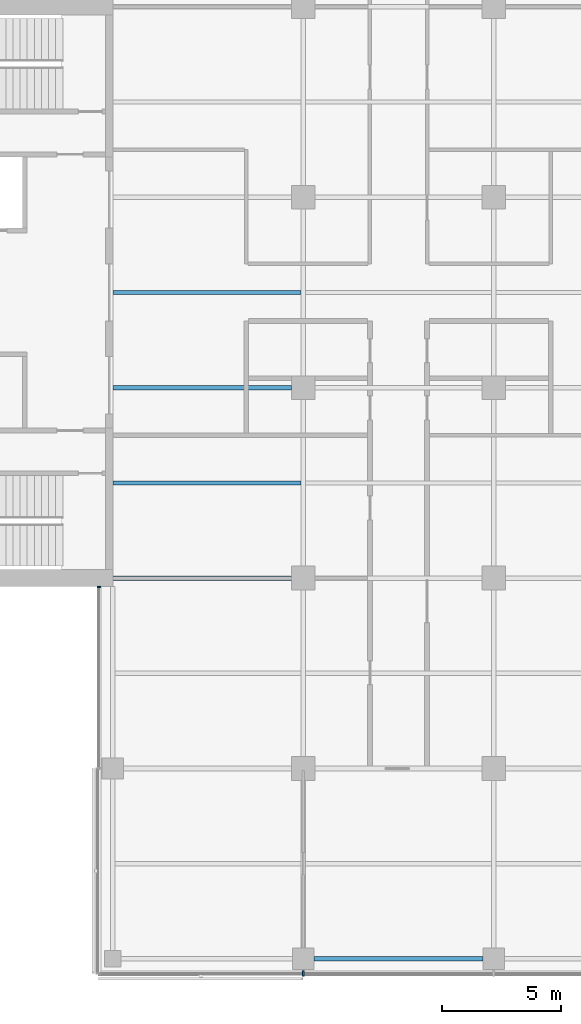
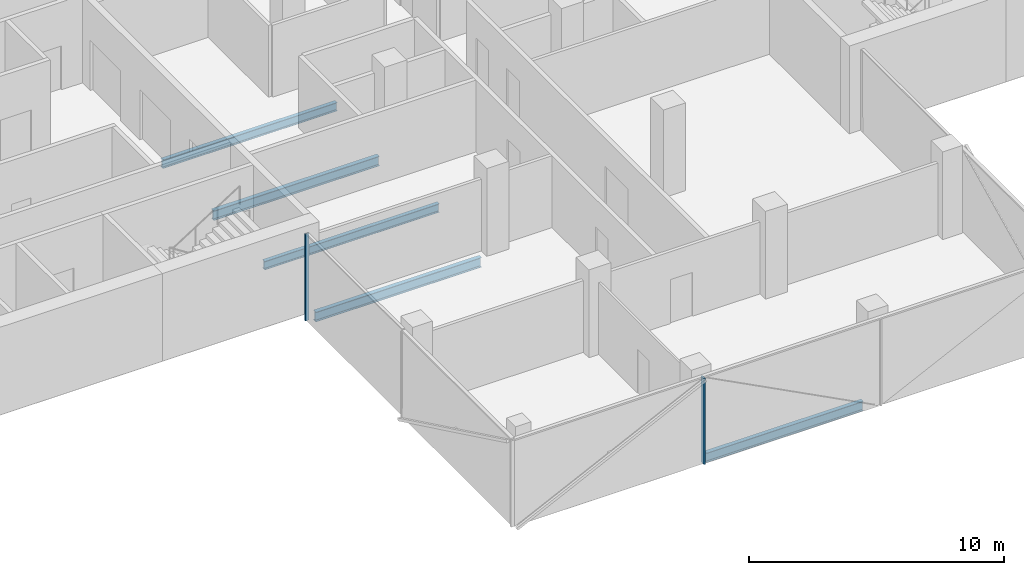
# One storey, part 4 of 22: 5 beams, 2 members, 2 elements without a shape of their own.
"""IFC4 building model written with IfcOpenShell, lengths in metres."""

from ifc_helpers import new_model, si_unit, direction, frame, origin, origin_2d, place, context, subcontext, project, spatial, rectangle, i_section, extrude, material, material_profile, profile_set, type_object, element, aggregate, save


model = new_model("IFC4")

# Units and contexts
model_context = context("Model", 3, precision=1e-05, world=origin(), true_north=direction((0.0, 1.0)))
body_context = subcontext(model_context, "Body", "Model", "MODEL_VIEW")
ifc_project = project(units=[si_unit("LENGTHUNIT", "METRE"), si_unit("AREAUNIT", "SQUARE_METRE"), si_unit("VOLUMEUNIT", "CUBIC_METRE"), si_unit("PLANEANGLEUNIT", "RADIAN"), si_unit("MASSUNIT", "GRAM", prefix="KILO")], contexts=[model_context])

# Site, building, storey
site_placement = place(None, origin())
site = spatial("IfcSite", under=ifc_project, at=site_placement, CompositionType="ELEMENT")
building_placement = place(site_placement, origin())
building = spatial("IfcBuilding", under=site, at=building_placement, Name="Crosswind Convention Tower", CompositionType="ELEMENT")
storey_placement = place(building_placement, frame((0.0, 0.0, 154.699951171875)))
storey = spatial("IfcBuildingStorey", under=building, at=storey_placement, Name="L32", CompositionType="ELEMENT", Elevation=154.699951171875)

# Beams
ifc_material_1 = material(Name="Steel S355", Category="steel")
ifc_material_profile_1 = material_profile(ifc_material_1, i_section(OverallWidth=0.18994140625, OverallDepth=0.45361328125, WebThickness=0.008544921875, FlangeThickness=0.0126953125, FilletRadius=0.01025390625, at=origin_2d()), Name="UB 457x191x67")
ifc_profile_set_1 = profile_set([ifc_material_profile_1], Name="Steel S355")
beam_type_1 = type_object("IfcBeamType", Name="Edge beam UB 457x191x67", PredefinedType="SPANDREL", material=ifc_profile_set_1)
beam_placement = place(storey_placement, frame((121.449951171875, 72.0, -0.52685546875), z_axis=(1.0, 0.0, 0.0), x_axis=(0.0, 1.0, 0.0)))
element("IfcBeam", 1, at=beam_placement, inside=storey, type_object=beam_type_1, Name="B16 L32 edge beam 12", PredefinedType="SPANDREL", context=body_context, shape_type="SweptSolid", body=[
    extrude(i_section(OverallWidth=0.18994140625, OverallDepth=0.45361328125, WebThickness=0.008544921875, FlangeThickness=0.0126953125, FilletRadius=0.01025390625, at=origin_2d()), origin(), (0.0, 0.0, 1.0), 7.10009765625),
])
ifc_material_profile_2 = material_profile(ifc_material_1, i_section(OverallWidth=0.19189453125, OverallDepth=0.463623046875, WebThickness=0.010498046875, FlangeThickness=0.017578125, FilletRadius=0.01025390625, at=origin_2d()), Name="UB 457x191x90")
ifc_profile_set_2 = profile_set([ifc_material_profile_2], Name="Steel S355")
beam_type_2 = type_object("IfcBeamType", Name="Girder at core wall UB 457x191x90", PredefinedType="BEAM", material=ifc_profile_set_2)
for number, where, z_axis, x_axis, name in (
    (2, (113.0, 88.0, -0.53173828125), (1.0, 0.0, 0.0), (0.0, 1.0, 0.0), "B24 L32 girder at core wall 3"),
    (3, (113.0, 96.0, -0.53173828125), (1.0, 0.0, 0.0), (0.0, 1.0, 0.0), "B24 L32 girder at core wall 4"),
):
    element("IfcBeam", number, at=place(storey_placement, frame(where, z_axis=z_axis, x_axis=x_axis)), inside=storey, type_object=beam_type_2, Name=name, PredefinedType="BEAM", context=body_context, shape_type="SweptSolid", body=[
        extrude(i_section(OverallWidth=0.19189453125, OverallDepth=0.463623046875, WebThickness=0.010498046875, FlangeThickness=0.017578125, FilletRadius=0.01025390625, at=origin_2d()), origin(), (0.0, 0.0, 1.0), 7.5),
    ])

# Curtain wall, member
ifc_material_2 = material(Name="Aluminium unitised curtain wall", Category="aluminium")
curtain_wall_type_1 = type_object("IfcCurtainWallType", Name="CORE END SLOT WALL 160", PredefinedType="USERDEFINED", material=ifc_material_2)
curtain_wall_1_placement = place(storey_placement, origin())
curtain_wall_1 = element("IfcCurtainWall", 4, at=curtain_wall_1_placement, inside=storey, type_object=curtain_wall_type_1, Name="CW6 L32 S-W.1-1 slot", ObjectType="UNITISED", PredefinedType="USERDEFINED")
ifc_material_3 = material(Name="Aluminium mullion", Category="aluminium")
ifc_material_profile_3 = material_profile(ifc_material_3, rectangle(XDim=0.159912109375, YDim=0.050048828125, at=origin_2d()), Name="AL 160X50")
ifc_profile_set_3 = profile_set([ifc_material_profile_3], Name="Aluminium mullion")
member_type_1 = type_object("IfcMemberType", Name="MULLION 50X160", PredefinedType="MULLION", material=ifc_profile_set_3)
member_1_placement = place(storey_placement, frame((112.419921875, 87.625, -0.300048828125), z_axis=(0.0, 0.0, 1.0), x_axis=(-1.0, 0.0, 0.0)))
member_1 = element("IfcMember", 5, at=member_1_placement, type_object=member_type_1, Name="CW6 mullion 1", PredefinedType="MULLION", context=body_context, shape_type="SweptSolid", body=[
    extrude(rectangle(XDim=0.159912109375, YDim=0.050048828125, at=origin_2d()), origin(), (0.0, 0.0, 1.0), 4.150146484375),
])
aggregate(curtain_wall_1, [member_1])

curtain_wall_type_2 = type_object("IfcCurtainWallType", Name="OFFICE UNITISED WALL 220", PredefinedType="USERDEFINED", material=ifc_material_2)
curtain_wall_2_placement = place(storey_placement, origin())
curtain_wall_2 = element("IfcCurtainWall", 6, at=curtain_wall_2_placement, inside=storey, type_object=curtain_wall_type_2, Name="CW3 L32 S-TIP 1", ObjectType="UNITISED", PredefinedType="USERDEFINED")
ifc_material_profile_4 = material_profile(ifc_material_3, rectangle(XDim=0.219970703125, YDim=0.070068359375, at=origin_2d()), Name="AL 220X70")
ifc_profile_set_4 = profile_set([ifc_material_profile_4], Name="Aluminium mullion")
member_type_2 = type_object("IfcMemberType", Name="MULLION 70X220", PredefinedType="MULLION", material=ifc_profile_set_4)
member_2_placement = place(storey_placement, frame((121.0, 71.389892578125, -0.300048828125), z_axis=(0.0, 0.0, 1.0), x_axis=(0.0, -1.0, 0.0)))
member_2 = element("IfcMember", 7, at=member_2_placement, type_object=member_type_2, Name="CW3 mullion 2", PredefinedType="MULLION", context=body_context, shape_type="SweptSolid", body=[
    extrude(rectangle(XDim=0.219970703125, YDim=0.070068359375, at=origin_2d()), origin(), (0.0, 0.0, 1.0), 4.130126953125),
])
aggregate(curtain_wall_2, [member_2])

# Beams
ifc_material_profile_5 = material_profile(ifc_material_1, i_section(OverallWidth=0.177734375, OverallDepth=0.406494140625, WebThickness=0.0078125, FlangeThickness=0.0126953125, FilletRadius=0.01025390625, at=origin_2d()), Name="UB 406x178x60")
ifc_profile_set_5 = profile_set([ifc_material_profile_5], Name="Steel S355")
beam_type_3 = type_object("IfcBeamType", Name="Secondary beam UB 406x178x60", PredefinedType="JOIST", material=ifc_profile_set_5)
for number, where, z_axis, x_axis, name in (
    (8, (113.0, 92.0, -0.503173828125), (1.0, 0.0, 0.0), (0.0, 1.0, 0.0), "B10 L32 secondary beam 4"),
    (9, (113.0, 100.0, -0.503173828125), (1.0, 0.0, 0.0), (0.0, 1.0, 0.0), "B10 L32 secondary beam 5"),
):
    element("IfcBeam", number, at=place(storey_placement, frame(where, z_axis=z_axis, x_axis=x_axis)), inside=storey, type_object=beam_type_3, Name=name, PredefinedType="JOIST", context=body_context, shape_type="SweptSolid", body=[
        extrude(i_section(OverallWidth=0.177734375, OverallDepth=0.406494140625, WebThickness=0.0078125, FlangeThickness=0.0126953125, FilletRadius=0.01025390625, at=origin_2d()), origin(), (0.0, 0.0, 1.0), 7.904296875),
    ])

save(model, "model.ifc")
